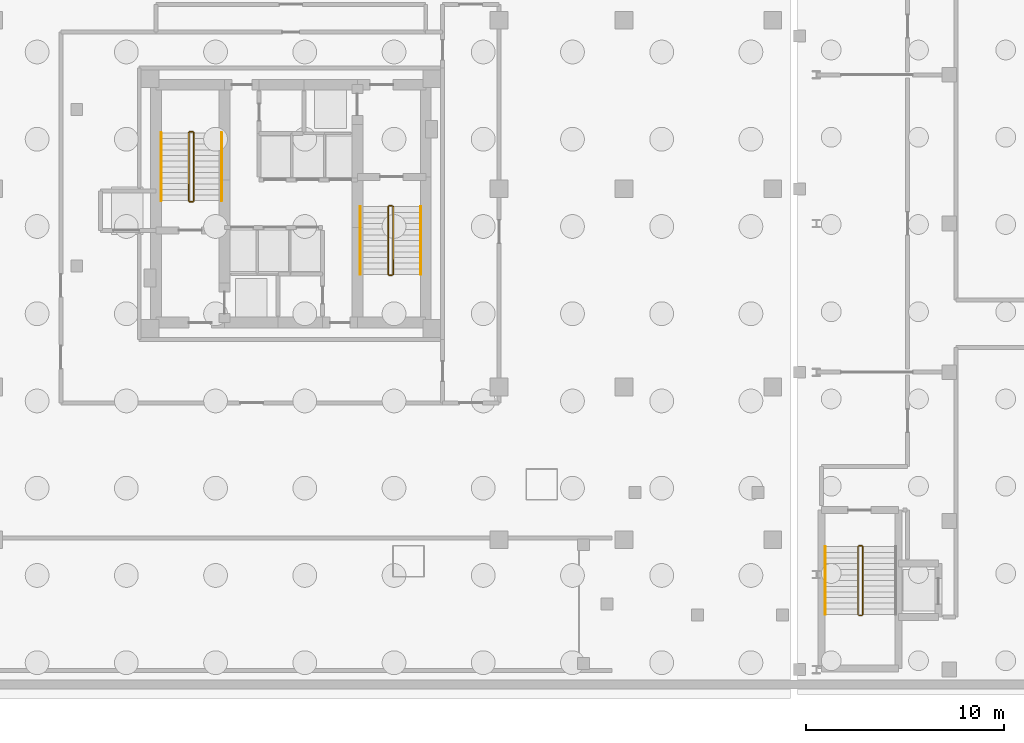
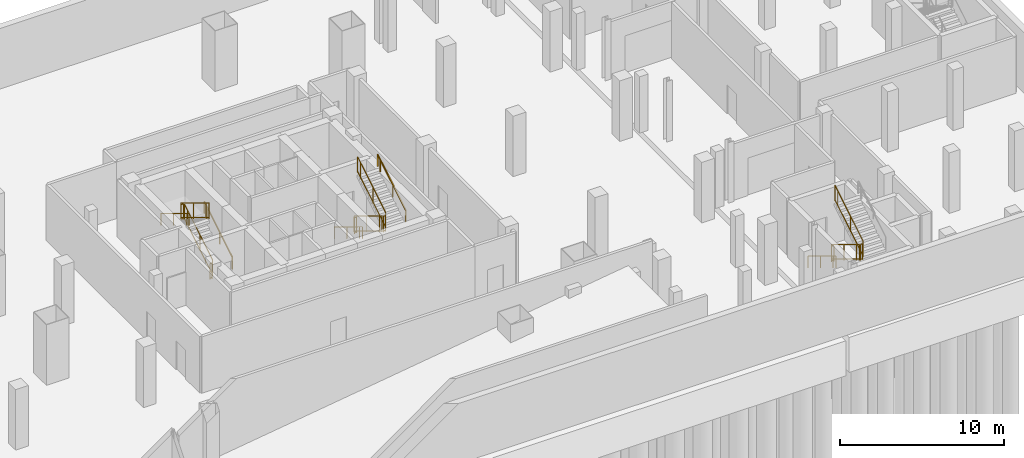
# One storey, part 13 of 15: 17 railings.
"""IFC4 building model written with IfcOpenShell, lengths in metres."""

from ifc_helpers import new_model, si_unit, direction, frame, origin, origin_2d, place, context, subcontext, project, spatial, rectangle, extrude, material, type_object, element, save


model = new_model("IFC4")

# Units and contexts
model_context = context("Model", 3, precision=1e-05, world=origin(), true_north=direction((0.0, 1.0)))
body_context = subcontext(model_context, "Body", "Model", "MODEL_VIEW")
ifc_project = project(units=[si_unit("LENGTHUNIT", "METRE"), si_unit("AREAUNIT", "SQUARE_METRE"), si_unit("VOLUMEUNIT", "CUBIC_METRE"), si_unit("PLANEANGLEUNIT", "RADIAN"), si_unit("MASSUNIT", "GRAM", prefix="KILO")], contexts=[model_context])

# Site, building, storey
site_placement = place(None, origin())
site = spatial("IfcSite", under=ifc_project, at=site_placement, CompositionType="ELEMENT")
building_placement = place(site_placement, origin())
building = spatial("IfcBuilding", under=site, at=building_placement, Name="Mersakhor Tower and Convention Hall", CompositionType="ELEMENT")
storey_placement = place(building_placement, frame((0.0, 0.0, -9.0)))
storey = spatial("IfcBuildingStorey", under=building, at=storey_placement, Name="B02", CompositionType="ELEMENT", Elevation=-9.0)

# Railings
ifc_material_1 = material(Name="Brushed stainless steel handrail", Category="steel")
railing_type_1 = type_object("IfcRailingType", Name="RL-HR-900", PredefinedType="HANDRAIL", material=ifc_material_1)
railing_1_placement = place(storey_placement, frame((25.5, 26.89990234375, 0.173095703125)))
element("IfcRailing", 1, at=railing_1_placement, inside=storey, type_object=railing_type_1, Name="B02 ST-1 stair handrail 1", PredefinedType="HANDRAIL", context=body_context, shape_type="SweptSolid", body=[
    extrude(rectangle(XDim=0.048095703125, YDim=0.048095703125, at=origin_2d()), frame((0.0, 0.0, 0.8759765625), z_axis=(0.0, 0.854745945586, 0.519046595696), x_axis=(-1.0, 0.0, 0.0)), (0.0, 0.0, 1.0), 4.00146484375),
    extrude(rectangle(XDim=0.0419921875, YDim=0.0419921875, at=origin_2d()), origin(), (0.0, 0.0, 1.0), 0.851806640625),
    extrude(rectangle(XDim=0.0419921875, YDim=0.0419921875, at=origin_2d()), frame((0.0, 1.53857421875, 0.934326171875)), (0.0, 0.0, 1.0), 0.851806640625),
    extrude(rectangle(XDim=0.0419921875, YDim=0.0419921875, at=origin_2d()), frame((0.0, 3.0771484375, 1.86865234375)), (0.0, 0.0, 1.0), 0.851806640625),
    extrude(rectangle(XDim=0.0419921875, YDim=0.0419921875, at=origin_2d()), frame((0.0, 3.420166015625, 2.076904296875)), (0.0, 0.0, 1.0), 0.851806640625),
])
for number, where, name in (
    (2, (22.449951171875, 30.320068359375, 2.423095703125), "B02 ST-1 stair handrail 2"),
    (3, (32.5, 26.60009765625, 0.173095703125), "B02 ST-2 stair handrail 1"),
):
    element("IfcRailing", number, at=place(storey_placement, frame(where)), inside=storey, type_object=railing_type_1, Name=name, PredefinedType="HANDRAIL", context=body_context, shape_type="SweptSolid", body=[
        extrude(rectangle(XDim=0.048095703125, YDim=0.048095703125, at=origin_2d()), frame((0.0, 0.0, 0.8759765625), z_axis=(0.0, -0.854745945586, 0.519046595696), x_axis=(1.0, 0.0, 0.0)), (0.0, 0.0, 1.0), 4.00146484375),
        extrude(rectangle(XDim=0.0419921875, YDim=0.0419921875, at=origin_2d()), origin(), (0.0, 0.0, 1.0), 0.851806640625),
        extrude(rectangle(XDim=0.0419921875, YDim=0.0419921875, at=origin_2d()), frame((0.0, -1.53857421875, 0.934326171875)), (0.0, 0.0, 1.0), 0.851806640625),
        extrude(rectangle(XDim=0.0419921875, YDim=0.0419921875, at=origin_2d()), frame((0.0, -3.0771484375, 1.86865234375)), (0.0, 0.0, 1.0), 0.851806640625),
        extrude(rectangle(XDim=0.0419921875, YDim=0.0419921875, at=origin_2d()), frame((0.0, -3.420166015625, 2.076904296875)), (0.0, 0.0, 1.0), 0.851806640625),
    ])
railing_2_placement = place(storey_placement, frame((35.550048828125, 23.179931640625, 2.423095703125)))
element("IfcRailing", 4, at=railing_2_placement, inside=storey, type_object=railing_type_1, Name="B02 ST-2 stair handrail 2", PredefinedType="HANDRAIL", context=body_context, shape_type="SweptSolid", body=[
    extrude(rectangle(XDim=0.048095703125, YDim=0.048095703125, at=origin_2d()), frame((0.0, 0.0, 0.8759765625), z_axis=(0.0, 0.854745945586, 0.519046595696), x_axis=(-1.0, 0.0, 0.0)), (0.0, 0.0, 1.0), 4.00146484375),
    extrude(rectangle(XDim=0.0419921875, YDim=0.0419921875, at=origin_2d()), origin(), (0.0, 0.0, 1.0), 0.851806640625),
    extrude(rectangle(XDim=0.0419921875, YDim=0.0419921875, at=origin_2d()), frame((0.0, 1.53857421875, 0.934326171875)), (0.0, 0.0, 1.0), 0.851806640625),
    extrude(rectangle(XDim=0.0419921875, YDim=0.0419921875, at=origin_2d()), frame((0.0, 3.0771484375, 1.86865234375)), (0.0, 0.0, 1.0), 0.851806640625),
    extrude(rectangle(XDim=0.0419921875, YDim=0.0419921875, at=origin_2d()), frame((0.0, 3.420166015625, 2.076904296875)), (0.0, 0.0, 1.0), 0.851806640625),
])
railing_3_placement = place(storey_placement, frame((55.949951171875, 9.449951171875, 0.173095703125)))
element("IfcRailing", 5, at=railing_3_placement, inside=storey, type_object=railing_type_1, Name="B02 CH-ST1 stair handrail 1", PredefinedType="HANDRAIL", context=body_context, shape_type="SweptSolid", body=[
    extrude(rectangle(XDim=0.048095703125, YDim=0.048095703125, at=origin_2d()), frame((0.0, 0.0, 0.8759765625), z_axis=(0.0, -0.854729506542, 0.519073665916), x_axis=(1.0, 0.0, 0.0)), (0.0, 0.0, 1.0), 4.001220703125),
    extrude(rectangle(XDim=0.0419921875, YDim=0.0419921875, at=origin_2d()), origin(), (0.0, 0.0, 1.0), 0.851806640625),
    extrude(rectangle(XDim=0.0419921875, YDim=0.0419921875, at=origin_2d()), frame((0.0, -1.53857421875, 0.934326171875)), (0.0, 0.0, 1.0), 0.851806640625),
    extrude(rectangle(XDim=0.0419921875, YDim=0.0419921875, at=origin_2d()), frame((0.0, -3.076904296875, 1.86865234375)), (0.0, 0.0, 1.0), 0.851806640625),
    extrude(rectangle(XDim=0.0419921875, YDim=0.0419921875, at=origin_2d()), frame((0.0, -3.419921875, 2.076904296875)), (0.0, 0.0, 1.0), 0.851806640625),
])
ifc_material_2 = material(Name="Painted steel stair balustrade S355", Category="steel")
railing_type_2 = type_object("IfcRailingType", Name="RL-STG-1200", PredefinedType="BALUSTRADE", material=ifc_material_2)
railing_4_placement = place(storey_placement, frame((24.10009765625, 26.89990234375, 0.173095703125)))
element("IfcRailing", 6, at=railing_4_placement, inside=storey, type_object=railing_type_2, Name="B02 ST-1 stair guard 1", PredefinedType="BALUSTRADE", context=body_context, shape_type="SweptSolid", body=[
    extrude(rectangle(XDim=0.048095703125, YDim=0.048095703125, at=origin_2d()), frame((0.0, 0.0, 1.17578125), z_axis=(0.0, 0.854745945586, 0.519046595696), x_axis=(-1.0, 0.0, 0.0)), (0.0, 0.0, 1.0), 4.00146484375),
    extrude(rectangle(XDim=0.048095703125, YDim=0.048095703125, at=origin_2d()), frame((0.0, 0.0, 0.080078125), z_axis=(0.0, 0.854745945586, 0.519046595696), x_axis=(-1.0, 0.0, 0.0)), (0.0, 0.0, 1.0), 4.00146484375),
    extrude(rectangle(XDim=0.0419921875, YDim=0.0419921875, at=origin_2d()), origin(), (0.0, 0.0, 1.0), 1.15185546875),
    extrude(rectangle(XDim=0.0419921875, YDim=0.0419921875, at=origin_2d()), frame((0.0, 1.53857421875, 0.934326171875)), (0.0, 0.0, 1.0), 1.15185546875),
    extrude(rectangle(XDim=0.0419921875, YDim=0.0419921875, at=origin_2d()), frame((0.0, 3.0771484375, 1.86865234375)), (0.0, 0.0, 1.0), 1.15185546875),
    extrude(rectangle(XDim=0.0419921875, YDim=0.0419921875, at=origin_2d()), frame((0.0, 3.420166015625, 2.076904296875)), (0.0, 0.0, 1.0), 1.15185546875),
])
railing_5_placement = place(storey_placement, frame((24.050048828125, 30.3701171875, 2.25)))
element("IfcRailing", 7, at=railing_5_placement, inside=storey, type_object=railing_type_2, Name="B02 ST-1 stair guard 2", PredefinedType="BALUSTRADE", context=body_context, shape_type="SweptSolid", body=[
    extrude(rectangle(XDim=0.048095703125, YDim=0.048095703125, at=origin_2d()), frame((0.0, 0.0, 1.17578125), z_axis=(-1.0, 0.0, 0.0), x_axis=(0.0, -1.0, 0.0)), (0.0, 0.0, 1.0), 0.150146484375),
    extrude(rectangle(XDim=0.048095703125, YDim=0.048095703125, at=origin_2d()), frame((0.0, 0.0, 0.080078125), z_axis=(-1.0, 0.0, 0.0), x_axis=(0.0, -1.0, 0.0)), (0.0, 0.0, 1.0), 0.150146484375),
    extrude(rectangle(XDim=0.0419921875, YDim=0.0419921875, at=origin_2d()), origin(), (0.0, 0.0, 1.0), 1.15185546875),
    extrude(rectangle(XDim=0.0419921875, YDim=0.0419921875, at=origin_2d()), frame((-0.150146484375, 0.0, 0.0)), (0.0, 0.0, 1.0), 1.15185546875),
])
railing_6_placement = place(storey_placement, frame((23.85009765625, 30.320068359375, 2.423095703125)))
element("IfcRailing", 8, at=railing_6_placement, inside=storey, type_object=railing_type_2, Name="B02 ST-1 stair guard 3", PredefinedType="BALUSTRADE", context=body_context, shape_type="SweptSolid", body=[
    extrude(rectangle(XDim=0.048095703125, YDim=0.048095703125, at=origin_2d()), frame((0.0, 0.0, 1.17578125), z_axis=(0.0, -0.854745945586, 0.519046595696), x_axis=(1.0, 0.0, 0.0)), (0.0, 0.0, 1.0), 4.00146484375),
    extrude(rectangle(XDim=0.048095703125, YDim=0.048095703125, at=origin_2d()), frame((0.0, 0.0, 0.080078125), z_axis=(0.0, -0.854745945586, 0.519046595696), x_axis=(1.0, 0.0, 0.0)), (0.0, 0.0, 1.0), 4.00146484375),
    extrude(rectangle(XDim=0.0419921875, YDim=0.0419921875, at=origin_2d()), origin(), (0.0, 0.0, 1.0), 1.15185546875),
    extrude(rectangle(XDim=0.0419921875, YDim=0.0419921875, at=origin_2d()), frame((0.0, -1.53857421875, 0.934326171875)), (0.0, 0.0, 1.0), 1.15185546875),
    extrude(rectangle(XDim=0.0419921875, YDim=0.0419921875, at=origin_2d()), frame((0.0, -3.0771484375, 1.86865234375)), (0.0, 0.0, 1.0), 1.15185546875),
    extrude(rectangle(XDim=0.0419921875, YDim=0.0419921875, at=origin_2d()), frame((0.0, -3.420166015625, 2.076904296875)), (0.0, 0.0, 1.0), 1.15185546875),
])
railing_7_placement = place(storey_placement, frame((24.050048828125, 26.85009765625, 0.0)))
element("IfcRailing", 9, at=railing_7_placement, inside=storey, type_object=railing_type_2, Name="B02 ST-1 stair guard 4", PredefinedType="BALUSTRADE", context=body_context, shape_type="SweptSolid", body=[
    extrude(rectangle(XDim=0.048095703125, YDim=0.048095703125, at=origin_2d()), frame((0.0, 0.0, 1.17578125), z_axis=(-1.0, 0.0, 0.0), x_axis=(0.0, -1.0, 0.0)), (0.0, 0.0, 1.0), 0.150146484375),
    extrude(rectangle(XDim=0.048095703125, YDim=0.048095703125, at=origin_2d()), frame((0.0, 0.0, 0.080078125), z_axis=(-1.0, 0.0, 0.0), x_axis=(0.0, -1.0, 0.0)), (0.0, 0.0, 1.0), 0.150146484375),
    extrude(rectangle(XDim=0.0419921875, YDim=0.0419921875, at=origin_2d()), origin(), (0.0, 0.0, 1.0), 1.15185546875),
    extrude(rectangle(XDim=0.0419921875, YDim=0.0419921875, at=origin_2d()), frame((-0.150146484375, 0.0, 0.0)), (0.0, 0.0, 1.0), 1.15185546875),
])
railing_8_placement = place(storey_placement, frame((33.89990234375, 26.60009765625, 0.173095703125)))
element("IfcRailing", 10, at=railing_8_placement, inside=storey, type_object=railing_type_2, Name="B02 ST-2 stair guard 1", PredefinedType="BALUSTRADE", context=body_context, shape_type="SweptSolid", body=[
    extrude(rectangle(XDim=0.048095703125, YDim=0.048095703125, at=origin_2d()), frame((0.0, 0.0, 1.17578125), z_axis=(0.0, -0.854745945586, 0.519046595696), x_axis=(1.0, 0.0, 0.0)), (0.0, 0.0, 1.0), 4.00146484375),
    extrude(rectangle(XDim=0.048095703125, YDim=0.048095703125, at=origin_2d()), frame((0.0, 0.0, 0.080078125), z_axis=(0.0, -0.854745945586, 0.519046595696), x_axis=(1.0, 0.0, 0.0)), (0.0, 0.0, 1.0), 4.00146484375),
    extrude(rectangle(XDim=0.0419921875, YDim=0.0419921875, at=origin_2d()), origin(), (0.0, 0.0, 1.0), 1.15185546875),
    extrude(rectangle(XDim=0.0419921875, YDim=0.0419921875, at=origin_2d()), frame((0.0, -1.53857421875, 0.934326171875)), (0.0, 0.0, 1.0), 1.15185546875),
    extrude(rectangle(XDim=0.0419921875, YDim=0.0419921875, at=origin_2d()), frame((0.0, -3.0771484375, 1.86865234375)), (0.0, 0.0, 1.0), 1.15185546875),
    extrude(rectangle(XDim=0.0419921875, YDim=0.0419921875, at=origin_2d()), frame((0.0, -3.420166015625, 2.076904296875)), (0.0, 0.0, 1.0), 1.15185546875),
])
railing_9_placement = place(storey_placement, frame((33.949951171875, 23.1298828125, 2.25)))
element("IfcRailing", 11, at=railing_9_placement, inside=storey, type_object=railing_type_2, Name="B02 ST-2 stair guard 2", PredefinedType="BALUSTRADE", context=body_context, shape_type="SweptSolid", body=[
    extrude(rectangle(XDim=0.048095703125, YDim=0.048095703125, at=origin_2d()), frame((0.0, 0.0, 1.17578125), z_axis=(1.0, 0.0, 0.0), x_axis=(0.0, 1.0, 0.0)), (0.0, 0.0, 1.0), 0.150146484375),
    extrude(rectangle(XDim=0.048095703125, YDim=0.048095703125, at=origin_2d()), frame((0.0, 0.0, 0.080078125), z_axis=(1.0, 0.0, 0.0), x_axis=(0.0, 1.0, 0.0)), (0.0, 0.0, 1.0), 0.150146484375),
    extrude(rectangle(XDim=0.0419921875, YDim=0.0419921875, at=origin_2d()), origin(), (0.0, 0.0, 1.0), 1.15185546875),
    extrude(rectangle(XDim=0.0419921875, YDim=0.0419921875, at=origin_2d()), frame((0.150146484375, 0.0, 0.0)), (0.0, 0.0, 1.0), 1.15185546875),
])
railing_10_placement = place(storey_placement, frame((34.14990234375, 23.179931640625, 2.423095703125)))
element("IfcRailing", 12, at=railing_10_placement, inside=storey, type_object=railing_type_2, Name="B02 ST-2 stair guard 3", PredefinedType="BALUSTRADE", context=body_context, shape_type="SweptSolid", body=[
    extrude(rectangle(XDim=0.048095703125, YDim=0.048095703125, at=origin_2d()), frame((0.0, 0.0, 1.17578125), z_axis=(0.0, 0.854745945586, 0.519046595696), x_axis=(-1.0, 0.0, 0.0)), (0.0, 0.0, 1.0), 4.00146484375),
    extrude(rectangle(XDim=0.048095703125, YDim=0.048095703125, at=origin_2d()), frame((0.0, 0.0, 0.080078125), z_axis=(0.0, 0.854745945586, 0.519046595696), x_axis=(-1.0, 0.0, 0.0)), (0.0, 0.0, 1.0), 4.00146484375),
    extrude(rectangle(XDim=0.0419921875, YDim=0.0419921875, at=origin_2d()), origin(), (0.0, 0.0, 1.0), 1.15185546875),
    extrude(rectangle(XDim=0.0419921875, YDim=0.0419921875, at=origin_2d()), frame((0.0, 1.53857421875, 0.934326171875)), (0.0, 0.0, 1.0), 1.15185546875),
    extrude(rectangle(XDim=0.0419921875, YDim=0.0419921875, at=origin_2d()), frame((0.0, 3.0771484375, 1.86865234375)), (0.0, 0.0, 1.0), 1.15185546875),
    extrude(rectangle(XDim=0.0419921875, YDim=0.0419921875, at=origin_2d()), frame((0.0, 3.420166015625, 2.076904296875)), (0.0, 0.0, 1.0), 1.15185546875),
])
railing_11_placement = place(storey_placement, frame((33.949951171875, 26.64990234375, 0.0)))
element("IfcRailing", 13, at=railing_11_placement, inside=storey, type_object=railing_type_2, Name="B02 ST-2 stair guard 4", PredefinedType="BALUSTRADE", context=body_context, shape_type="SweptSolid", body=[
    extrude(rectangle(XDim=0.048095703125, YDim=0.048095703125, at=origin_2d()), frame((0.0, 0.0, 1.17578125), z_axis=(1.0, 0.0, 0.0), x_axis=(0.0, 1.0, 0.0)), (0.0, 0.0, 1.0), 0.150146484375),
    extrude(rectangle(XDim=0.048095703125, YDim=0.048095703125, at=origin_2d()), frame((0.0, 0.0, 0.080078125), z_axis=(1.0, 0.0, 0.0), x_axis=(0.0, 1.0, 0.0)), (0.0, 0.0, 1.0), 0.150146484375),
    extrude(rectangle(XDim=0.0419921875, YDim=0.0419921875, at=origin_2d()), origin(), (0.0, 0.0, 1.0), 1.15185546875),
    extrude(rectangle(XDim=0.0419921875, YDim=0.0419921875, at=origin_2d()), frame((0.150146484375, 0.0, 0.0)), (0.0, 0.0, 1.0), 1.15185546875),
])
railing_12_placement = place(storey_placement, frame((57.60009765625, 9.449951171875, 0.173095703125)))
element("IfcRailing", 14, at=railing_12_placement, inside=storey, type_object=railing_type_2, Name="B02 CH-ST1 stair guard 1", PredefinedType="BALUSTRADE", context=body_context, shape_type="SweptSolid", body=[
    extrude(rectangle(XDim=0.048095703125, YDim=0.048095703125, at=origin_2d()), frame((0.0, 0.0, 1.17578125), z_axis=(0.0, -0.854729506542, 0.519073665916), x_axis=(1.0, 0.0, 0.0)), (0.0, 0.0, 1.0), 4.001220703125),
    extrude(rectangle(XDim=0.048095703125, YDim=0.048095703125, at=origin_2d()), frame((0.0, 0.0, 0.080078125), z_axis=(0.0, -0.854729506542, 0.519073665916), x_axis=(1.0, 0.0, 0.0)), (0.0, 0.0, 1.0), 4.001220703125),
    extrude(rectangle(XDim=0.0419921875, YDim=0.0419921875, at=origin_2d()), origin(), (0.0, 0.0, 1.0), 1.15185546875),
    extrude(rectangle(XDim=0.0419921875, YDim=0.0419921875, at=origin_2d()), frame((0.0, -1.53857421875, 0.934326171875)), (0.0, 0.0, 1.0), 1.15185546875),
    extrude(rectangle(XDim=0.0419921875, YDim=0.0419921875, at=origin_2d()), frame((0.0, -3.076904296875, 1.86865234375)), (0.0, 0.0, 1.0), 1.15185546875),
    extrude(rectangle(XDim=0.0419921875, YDim=0.0419921875, at=origin_2d()), frame((0.0, -3.419921875, 2.076904296875)), (0.0, 0.0, 1.0), 1.15185546875),
])
railing_13_placement = place(storey_placement, frame((57.64990234375, 5.97998046875, 2.25)))
element("IfcRailing", 15, at=railing_13_placement, inside=storey, type_object=railing_type_2, Name="B02 CH-ST1 stair guard 2", PredefinedType="BALUSTRADE", context=body_context, shape_type="SweptSolid", body=[
    extrude(rectangle(XDim=0.048095703125, YDim=0.048095703125, at=origin_2d()), frame((0.0, 0.0, 1.17578125), z_axis=(1.0, 0.0, 0.0), x_axis=(0.0, 1.0, 0.0)), (0.0, 0.0, 1.0), 0.150146484375),
    extrude(rectangle(XDim=0.048095703125, YDim=0.048095703125, at=origin_2d()), frame((0.0, 0.0, 0.080078125), z_axis=(1.0, 0.0, 0.0), x_axis=(0.0, 1.0, 0.0)), (0.0, 0.0, 1.0), 0.150146484375),
    extrude(rectangle(XDim=0.0419921875, YDim=0.0419921875, at=origin_2d()), origin(), (0.0, 0.0, 1.0), 1.15185546875),
    extrude(rectangle(XDim=0.0419921875, YDim=0.0419921875, at=origin_2d()), frame((0.150146484375, 0.0, 0.0)), (0.0, 0.0, 1.0), 1.15185546875),
])
railing_14_placement = place(storey_placement, frame((57.85009765625, 6.030029296875, 2.423095703125)))
element("IfcRailing", 16, at=railing_14_placement, inside=storey, type_object=railing_type_2, Name="B02 CH-ST1 stair guard 3", PredefinedType="BALUSTRADE", context=body_context, shape_type="SweptSolid", body=[
    extrude(rectangle(XDim=0.048095703125, YDim=0.048095703125, at=origin_2d()), frame((0.0, 0.0, 1.17578125), z_axis=(0.0, 0.854729506542, 0.519073665916), x_axis=(-1.0, 0.0, 0.0)), (0.0, 0.0, 1.0), 4.001220703125),
    extrude(rectangle(XDim=0.048095703125, YDim=0.048095703125, at=origin_2d()), frame((0.0, 0.0, 0.080078125), z_axis=(0.0, 0.854729506542, 0.519073665916), x_axis=(-1.0, 0.0, 0.0)), (0.0, 0.0, 1.0), 4.001220703125),
    extrude(rectangle(XDim=0.0419921875, YDim=0.0419921875, at=origin_2d()), origin(), (0.0, 0.0, 1.0), 1.15185546875),
    extrude(rectangle(XDim=0.0419921875, YDim=0.0419921875, at=origin_2d()), frame((0.0, 1.53857421875, 0.934326171875)), (0.0, 0.0, 1.0), 1.15185546875),
    extrude(rectangle(XDim=0.0419921875, YDim=0.0419921875, at=origin_2d()), frame((0.0, 3.076904296875, 1.86865234375)), (0.0, 0.0, 1.0), 1.15185546875),
    extrude(rectangle(XDim=0.0419921875, YDim=0.0419921875, at=origin_2d()), frame((0.0, 3.419921875, 2.076904296875)), (0.0, 0.0, 1.0), 1.15185546875),
])
railing_15_placement = place(storey_placement, frame((57.64990234375, 9.5, 0.0)))
element("IfcRailing", 17, at=railing_15_placement, inside=storey, type_object=railing_type_2, Name="B02 CH-ST1 stair guard 4", PredefinedType="BALUSTRADE", context=body_context, shape_type="SweptSolid", body=[
    extrude(rectangle(XDim=0.048095703125, YDim=0.048095703125, at=origin_2d()), frame((0.0, 0.0, 1.17578125), z_axis=(1.0, 0.0, 0.0), x_axis=(0.0, 1.0, 0.0)), (0.0, 0.0, 1.0), 0.150146484375),
    extrude(rectangle(XDim=0.048095703125, YDim=0.048095703125, at=origin_2d()), frame((0.0, 0.0, 0.080078125), z_axis=(1.0, 0.0, 0.0), x_axis=(0.0, 1.0, 0.0)), (0.0, 0.0, 1.0), 0.150146484375),
    extrude(rectangle(XDim=0.0419921875, YDim=0.0419921875, at=origin_2d()), origin(), (0.0, 0.0, 1.0), 1.15185546875),
    extrude(rectangle(XDim=0.0419921875, YDim=0.0419921875, at=origin_2d()), frame((0.150146484375, 0.0, 0.0)), (0.0, 0.0, 1.0), 1.15185546875),
])

save(model, "model.ifc")
